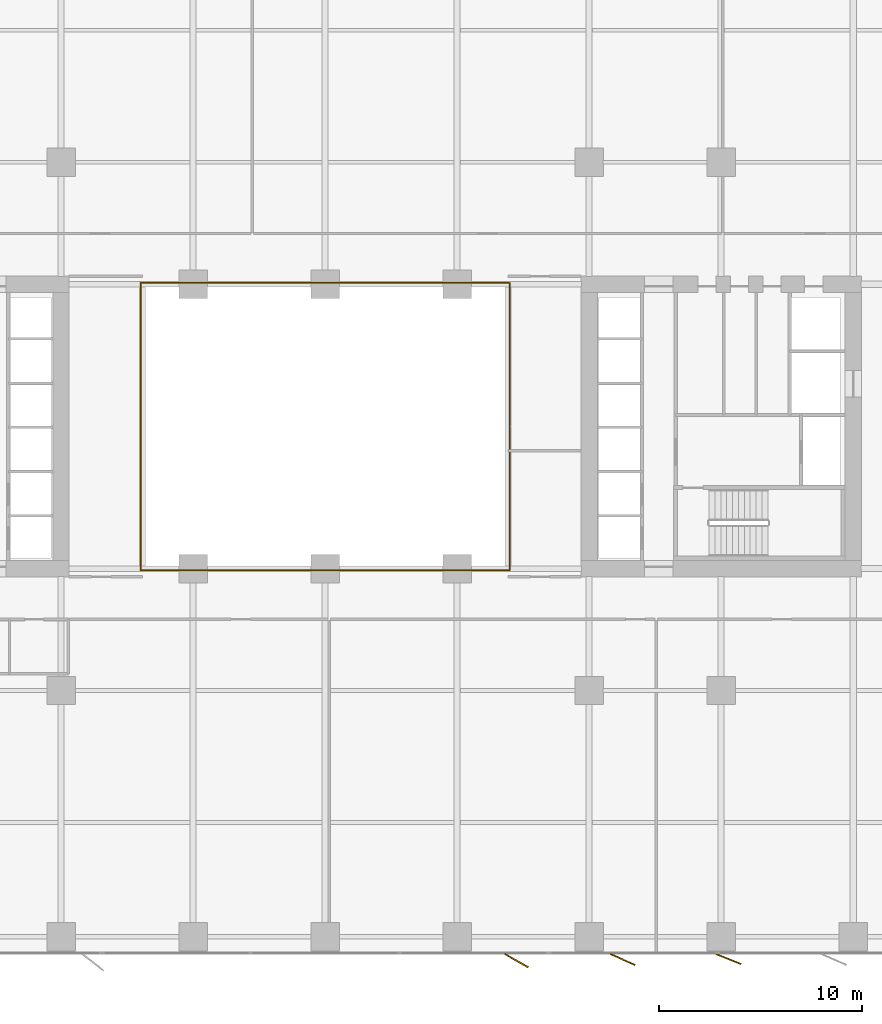
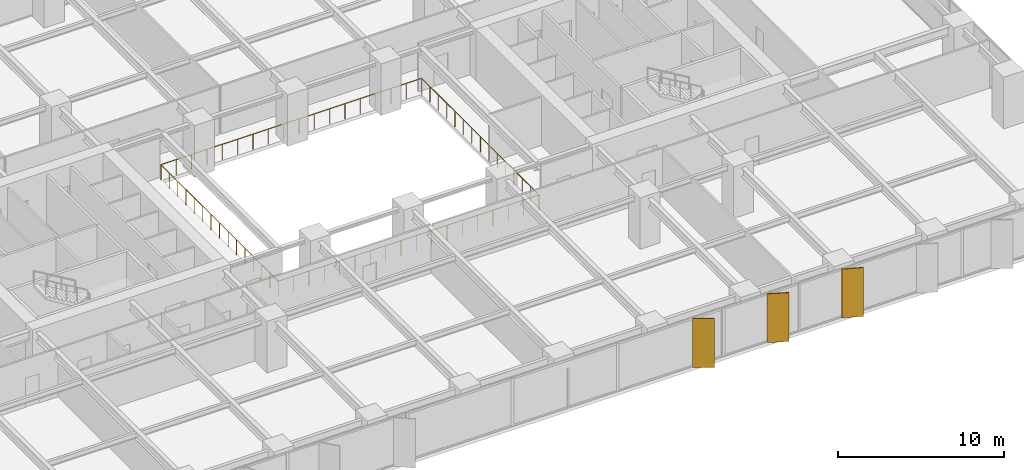
# One storey, part 18 of 20: 3 shading devices, 2 railings.
"""IFC4 building model written with IfcOpenShell, lengths in metres."""

import ifcopenshell
import ifcopenshell.guid

model = None  # the IFC model being written
_history = None  # IfcOwnerHistory: only IFC2X3 demands one
_inside = {}  # id of a spatial element -> (the spatial element, [elements in it])
_under = {}  # id of a project, library or spatial element -> (it, [spatial elements below it])
_declared = {}  # id of a project -> (the project, [libraries it declares])
_typed = {}  # id of a type object -> (the type object, [elements of that type])
_made_of = {}  # id of a material, layer set ... -> (it, [elements and type objects made of it])


def new_model(schema):
    """Start an empty IFC model of exactly this schema.

    Asked for "IFC4X3", IfcOpenShell would pick the latest addendum, in which some entities
    have other attributes; the version numbers below select the first issue.
    IFC2X3 requires an IfcOwnerHistory on every rooted entity: one is made here for all.
    """
    global model, _history
    if schema == "IFC4X3":
        model = ifcopenshell.file(schema_version=(4, 3, 0, 0))
    else:
        model = ifcopenshell.file(schema=schema)
    _inside.clear()
    _under.clear()
    _declared.clear()
    _typed.clear()
    _made_of.clear()
    _history = None
    if model.schema == "IFC2X3":
        org = make("IfcOrganization", Name="unknown")
        user = make(
            "IfcPersonAndOrganization",
            ThePerson=make("IfcPerson", FamilyName="unknown"),
            TheOrganization=org,
        )
        app = make(
            "IfcApplication",
            ApplicationDeveloper=org,
            Version="unknown",
            ApplicationFullName="unknown",
            ApplicationIdentifier="unknown",
        )
        _history = make(
            "IfcOwnerHistory",
            OwningUser=user,
            OwningApplication=app,
            ChangeAction="ADDED",
            CreationDate=0,
        )
    return model


def make(cls, **values):
    """One entity of the class cls with the attributes given. An attribute that is None is left unset."""
    return model.create_entity(
        cls, **{name: value for name, value in values.items() if value is not None}
    )


def rooted(cls, **values):
    """An entity with a GlobalId (a new one), such as an element, a storey or a relation."""
    return make(cls, GlobalId=ifcopenshell.guid.new(), OwnerHistory=_history, **values)


def si_unit(unit_type, name, prefix=None):
    """IfcSIUnit, for example si_unit("LENGTHUNIT", "METRE", prefix="MILLI")."""
    return make("IfcSIUnit", UnitType=unit_type, Prefix=prefix, Name=name)


def assignment(units):
    """IfcUnitAssignment: the units of a project."""
    return None if units is None else make("IfcUnitAssignment", Units=units)


def point(xyz):
    """IfcCartesianPoint."""
    return None if xyz is None else make("IfcCartesianPoint", Coordinates=xyz)


def direction(xyz):
    """IfcDirection."""
    return None if xyz is None else make("IfcDirection", DirectionRatios=xyz)


def frame(location, z_axis=None, x_axis=None):
    """IfcAxis2Placement3D, a coordinate frame: its origin and axes. An axis left out is left unset."""
    return make(
        "IfcAxis2Placement3D",
        Location=point(location),
        Axis=direction(z_axis),
        RefDirection=direction(x_axis),
    )


def frame_2d(location, x_axis=None):
    """IfcAxis2Placement2D, a coordinate frame in the plane: its origin and x axis."""
    return make(
        "IfcAxis2Placement2D", Location=point(location), RefDirection=direction(x_axis)
    )


def origin():
    """The frame at (0, 0, 0) with its axes left unset."""
    return frame((0.0, 0.0, 0.0))


def origin_2d():
    """The frame at (0, 0) in the plane with its x axis left unset."""
    return frame_2d((0.0, 0.0))


def place(relative_to, where):
    """IfcLocalPlacement: puts the frame where relative to a parent placement (None: the world)."""
    return make(
        "IfcLocalPlacement", PlacementRelTo=relative_to, RelativePlacement=where
    )


def context(
    kind, dimensions, precision=None, world=None, true_north=None, identifier=None
):
    """IfcGeometricRepresentationContext, for example the 3D "Model" context."""
    return make(
        "IfcGeometricRepresentationContext",
        ContextIdentifier=identifier,
        ContextType=kind,
        CoordinateSpaceDimension=dimensions,
        Precision=precision,
        WorldCoordinateSystem=world,
        TrueNorth=true_north,
    )


def subcontext(parent, identifier, kind, view, scale=None):
    """IfcGeometricRepresentationSubContext, for example "Body" below "Model"."""
    return make(
        "IfcGeometricRepresentationSubContext",
        ContextIdentifier=identifier,
        ContextType=kind,
        ParentContext=parent,
        TargetScale=scale,
        TargetView=view,
    )


def project(units=None, contexts=None):
    """IfcProject with its units and contexts."""
    return rooted(
        "IfcProject",
        Name="project",
        RepresentationContexts=contexts,
        UnitsInContext=assignment(units),
    )


def spatial(cls, under=None, at=None, **own):
    """A site, building, storey or space (cls), placed at a placement, below another one or the project."""
    s = rooted(cls, ObjectPlacement=at, **own)
    if under is not None:
        _under.setdefault(under.id(), (under, []))[1].append(s)
    return s


def profile(cls, at=None, kind="AREA", **sizes):
    """A parametric profile (cls). Its sizes go by their IFC names, for example OverallWidth=200.0."""
    return make(cls, ProfileType=kind, Position=at, **sizes)


def rectangle(**sizes):
    """IfcRectangleProfileDef."""
    return profile("IfcRectangleProfileDef", **sizes)


def circle(**sizes):
    """IfcCircleProfileDef."""
    return profile("IfcCircleProfileDef", **sizes)


def extrude(swept, where, along, depth):
    """IfcExtrudedAreaSolid: the profile swept, set in the frame where, extruded along a direction by depth."""
    return make(
        "IfcExtrudedAreaSolid",
        SweptArea=swept,
        Position=where,
        ExtrudedDirection=direction(along),
        Depth=depth,
    )


def shape(context_of_items, identifier, shape_type, items):
    """IfcShapeRepresentation: the items that make up one representation, for example the "Body"."""
    return make(
        "IfcShapeRepresentation",
        ContextOfItems=context_of_items,
        RepresentationIdentifier=identifier,
        RepresentationType=shape_type,
        Items=items,
    )


def material(Name=None, Category=None):
    """IfcMaterial."""
    return make("IfcMaterial", Name=Name, Category=Category)


def layer(
    of_material, thickness, ventilated=None, Name=None, Category=None, Priority=None
):
    """IfcMaterialLayer: one layer of a wall or slab, of a material (None: an air gap)."""
    return make(
        "IfcMaterialLayer",
        Material=of_material,
        LayerThickness=thickness,
        IsVentilated=ventilated,
        Name=Name,
        Category=Category,
        Priority=Priority,
    )


def layer_set(layers, Name=None):
    """IfcMaterialLayerSet."""
    return make("IfcMaterialLayerSet", MaterialLayers=layers, LayerSetName=Name)


def made_of(thing, what):
    """Note that an element or type object is made of a material, layer set ...; save() writes the relation."""
    if what is not None:
        _made_of.setdefault(what.id(), (what, []))[1].append(thing)
    return thing


def type_object(cls, material=None, **own):
    """A type object (cls), such as IfcWallType, which elements share."""
    return made_of(rooted(cls, **own), material)


def element(
    cls,
    number,
    at=None,
    inside=None,
    cuts=None,
    type_object=None,
    material=None,
    context=None,
    identifier="Body",
    shape_type=None,
    held_by="IfcProductDefinitionShape",
    body=None,
    shapes=None,
    **own,
):
    """One element of the class cls, such as IfcWall. Its Tag is "e" and its number.

    at: its placement. inside: the storey or other place that contains it. cuts: it is an
    opening in that element (IfcRelVoidsElement). A single representation is given by context,
    identifier, shape_type and body (its items); several are given by shapes. held_by: the class
    of the entity that holds the representations. save() writes the other relations.
    """
    e = rooted(cls, Tag="e%d" % number, ObjectPlacement=at, **own)
    if body is not None:
        shapes = [shape(context, identifier, shape_type, body)]
    if shapes is not None:
        e.Representation = make(held_by, Representations=shapes)
    if inside is not None:
        _inside.setdefault(inside.id(), (inside, []))[1].append(e)
    if cuts is not None:
        rooted(
            "IfcRelVoidsElement", RelatingBuildingElement=cuts, RelatedOpeningElement=e
        )
    if type_object is not None:
        _typed.setdefault(type_object.id(), (type_object, []))[1].append(e)
    return made_of(e, material)


def aggregate(whole, parts):
    """IfcRelAggregates: a whole, such as a stair, and the parts it consists of."""
    return rooted("IfcRelAggregates", RelatingObject=whole, RelatedObjects=parts)


def save(model, path):
    """Write the relations noted so far, then the file.

    IfcRelAggregates (storeys below a building ...), IfcRelContainedInSpatialStructure (elements
    in a storey), IfcRelDefinesByType, IfcRelAssociatesMaterial and IfcRelDeclares: one each for
    every whole, place, type object, material and project.
    """
    for whole, parts in _under.values():
        aggregate(whole, parts)
    for where, things in _inside.values():
        rooted(
            "IfcRelContainedInSpatialStructure",
            RelatedElements=things,
            RelatingStructure=where,
        )
    for kind, things in _typed.values():
        rooted("IfcRelDefinesByType", RelatedObjects=things, RelatingType=kind)
    for what, things in _made_of.values():
        rooted("IfcRelAssociatesMaterial", RelatedObjects=things, RelatingMaterial=what)
    for by, libraries in _declared.values():
        rooted("IfcRelDeclares", RelatingContext=by, RelatedDefinitions=libraries)
    model.write(path)


model = new_model("IFC4")

# Units and contexts
model_context = context("Model", 3, precision=1e-05, world=origin(), true_north=direction((0.0, 1.0)))
body_context = subcontext(model_context, "Body", "Model", "MODEL_VIEW")
ifc_project = project(units=[si_unit("LENGTHUNIT", "METRE"), si_unit("AREAUNIT", "SQUARE_METRE"), si_unit("VOLUMEUNIT", "CUBIC_METRE"), si_unit("PLANEANGLEUNIT", "RADIAN"), si_unit("MASSUNIT", "GRAM", prefix="KILO")], contexts=[model_context])

# Site, building, storey
site_placement = place(None, origin())
site = spatial("IfcSite", under=ifc_project, at=site_placement, CompositionType="ELEMENT")
building_placement = place(site_placement, origin())
building = spatial("IfcBuilding", under=site, at=building_placement, Name="Putna Gate Headquarters", CompositionType="ELEMENT")
storey_placement = place(building_placement, frame((0.0, 0.0, 43.0)))
storey = spatial("IfcBuildingStorey", under=building, at=storey_placement, Name="L09", CompositionType="ELEMENT", Elevation=43.0)

# Railings
ifc_material_1 = material(Name="Anodised bronze and laminated glass atrium balustrade", Category="glass")
railing_type = type_object("IfcRailingType", Name="RAIL-ATRIUM-GUARD-1150", PredefinedType="GUARDRAIL", material=ifc_material_1)
railing_1_placement = place(storey_placement, frame((29.919921875, 25.969970703125, 0.0)))
element("IfcRailing", 1, at=railing_1_placement, inside=storey, type_object=railing_type, Name="L09 Central Atrium Glazed Balustrade South", PredefinedType="GUARDRAIL", context=body_context, shape_type="SweptSolid", body=[
    extrude(circle(Radius=0.02392578125, at=origin_2d()), frame((0.0, 0.0, 1.1259765625), z_axis=(0.0, -1.0, 0.0), x_axis=(1.0, 0.0, 0.0)), (0.0, 0.0, 1.0), 7.050048828125),
    extrude(circle(Radius=0.02392578125, at=origin_2d()), frame((0.0, -7.050048828125, 1.1259765625), z_axis=(1.0, 0.0, 0.0), x_axis=(0.0, 1.0, 0.0)), (0.0, 0.0, 1.0), 18.16015625),
    extrude(circle(Radius=0.02392578125, at=origin_2d()), frame((18.16015625, -7.050048828125, 1.1259765625), z_axis=(0.0, 1.0, 0.0), x_axis=(-1.0, 0.0, 0.0)), (0.0, 0.0, 1.0), 7.050048828125),
    extrude(circle(Radius=0.02099609375, at=origin_2d()), origin(), (0.0, 0.0, 1.0), 1.101806640625),
    extrude(circle(Radius=0.02099609375, at=origin_2d()), frame((0.0, -1.007080078125, 0.0)), (0.0, 0.0, 1.0), 1.101806640625),
    extrude(circle(Radius=0.02099609375, at=origin_2d()), frame((0.0, -2.014404296875, 0.0)), (0.0, 0.0, 1.0), 1.101806640625),
    extrude(circle(Radius=0.02099609375, at=origin_2d()), frame((0.0, -3.021484375, 0.0)), (0.0, 0.0, 1.0), 1.101806640625),
    extrude(circle(Radius=0.02099609375, at=origin_2d()), frame((0.0, -4.028564453125, 0.0)), (0.0, 0.0, 1.0), 1.101806640625),
    extrude(circle(Radius=0.02099609375, at=origin_2d()), frame((0.0, -5.03564453125, 0.0)), (0.0, 0.0, 1.0), 1.101806640625),
    extrude(circle(Radius=0.02099609375, at=origin_2d()), frame((0.0, -6.04296875, 0.0)), (0.0, 0.0, 1.0), 1.101806640625),
    extrude(circle(Radius=0.02099609375, at=origin_2d()), frame((0.0, -7.050048828125, 0.0)), (0.0, 0.0, 1.0), 1.101806640625),
    extrude(circle(Radius=0.02099609375, at=origin_2d()), frame((1.068359375, -7.050048828125, 0.0)), (0.0, 0.0, 1.0), 1.101806640625),
    extrude(circle(Radius=0.02099609375, at=origin_2d()), frame((2.136474609375, -7.050048828125, 0.0)), (0.0, 0.0, 1.0), 1.101806640625),
    extrude(circle(Radius=0.02099609375, at=origin_2d()), frame((3.204833984375, -7.050048828125, 0.0)), (0.0, 0.0, 1.0), 1.101806640625),
    extrude(circle(Radius=0.02099609375, at=origin_2d()), frame((4.27294921875, -7.050048828125, 0.0)), (0.0, 0.0, 1.0), 1.101806640625),
    extrude(circle(Radius=0.02099609375, at=origin_2d()), frame((5.34130859375, -7.050048828125, 0.0)), (0.0, 0.0, 1.0), 1.101806640625),
    extrude(circle(Radius=0.02099609375, at=origin_2d()), frame((6.409423828125, -7.050048828125, 0.0)), (0.0, 0.0, 1.0), 1.101806640625),
    extrude(circle(Radius=0.02099609375, at=origin_2d()), frame((7.477783203125, -7.050048828125, 0.0)), (0.0, 0.0, 1.0), 1.101806640625),
    extrude(circle(Radius=0.02099609375, at=origin_2d()), frame((8.5458984375, -7.050048828125, 0.0)), (0.0, 0.0, 1.0), 1.101806640625),
    extrude(circle(Radius=0.02099609375, at=origin_2d()), frame((9.6142578125, -7.050048828125, 0.0)), (0.0, 0.0, 1.0), 1.101806640625),
    extrude(circle(Radius=0.02099609375, at=origin_2d()), frame((10.682373046875, -7.050048828125, 0.0)), (0.0, 0.0, 1.0), 1.101806640625),
    extrude(circle(Radius=0.02099609375, at=origin_2d()), frame((11.750732421875, -7.050048828125, 0.0)), (0.0, 0.0, 1.0), 1.101806640625),
    extrude(circle(Radius=0.02099609375, at=origin_2d()), frame((12.81884765625, -7.050048828125, 0.0)), (0.0, 0.0, 1.0), 1.101806640625),
    extrude(circle(Radius=0.02099609375, at=origin_2d()), frame((13.88720703125, -7.050048828125, 0.0)), (0.0, 0.0, 1.0), 1.101806640625),
    extrude(circle(Radius=0.02099609375, at=origin_2d()), frame((14.955322265625, -7.050048828125, 0.0)), (0.0, 0.0, 1.0), 1.101806640625),
    extrude(circle(Radius=0.02099609375, at=origin_2d()), frame((16.023681640625, -7.050048828125, 0.0)), (0.0, 0.0, 1.0), 1.101806640625),
    extrude(circle(Radius=0.02099609375, at=origin_2d()), frame((17.091796875, -7.050048828125, 0.0)), (0.0, 0.0, 1.0), 1.101806640625),
    extrude(circle(Radius=0.02099609375, at=origin_2d()), frame((18.16015625, -7.050048828125, 0.0)), (0.0, 0.0, 1.0), 1.101806640625),
    extrude(circle(Radius=0.02099609375, at=origin_2d()), frame((18.16015625, -6.04296875, 0.0)), (0.0, 0.0, 1.0), 1.101806640625),
    extrude(circle(Radius=0.02099609375, at=origin_2d()), frame((18.16015625, -5.03564453125, 0.0)), (0.0, 0.0, 1.0), 1.101806640625),
    extrude(circle(Radius=0.02099609375, at=origin_2d()), frame((18.16015625, -4.028564453125, 0.0)), (0.0, 0.0, 1.0), 1.101806640625),
    extrude(circle(Radius=0.02099609375, at=origin_2d()), frame((18.16015625, -3.021484375, 0.0)), (0.0, 0.0, 1.0), 1.101806640625),
    extrude(circle(Radius=0.02099609375, at=origin_2d()), frame((18.16015625, -2.014404296875, 0.0)), (0.0, 0.0, 1.0), 1.101806640625),
    extrude(circle(Radius=0.02099609375, at=origin_2d()), frame((18.16015625, -1.007080078125, 0.0)), (0.0, 0.0, 1.0), 1.101806640625),
    extrude(circle(Radius=0.02099609375, at=origin_2d()), frame((18.16015625, 0.0, 0.0)), (0.0, 0.0, 1.0), 1.101806640625),
])
railing_2_placement = place(storey_placement, frame((48.080078125, 26.030029296875, 0.0)))
element("IfcRailing", 2, at=railing_2_placement, inside=storey, type_object=railing_type, Name="L09 Central Atrium Glazed Balustrade North", PredefinedType="GUARDRAIL", context=body_context, shape_type="SweptSolid", body=[
    extrude(circle(Radius=0.02392578125, at=origin_2d()), frame((0.0, 0.0, 1.1259765625), z_axis=(0.0, 1.0, 0.0), x_axis=(-1.0, 0.0, 0.0)), (0.0, 0.0, 1.0), 7.050048828125),
    extrude(circle(Radius=0.02392578125, at=origin_2d()), frame((0.0, 7.050048828125, 1.1259765625), z_axis=(-1.0, 0.0, 0.0), x_axis=(0.0, -1.0, 0.0)), (0.0, 0.0, 1.0), 18.16015625),
    extrude(circle(Radius=0.02392578125, at=origin_2d()), frame((-18.16015625, 7.050048828125, 1.1259765625), z_axis=(0.0, -1.0, 0.0), x_axis=(1.0, 0.0, 0.0)), (0.0, 0.0, 1.0), 7.050048828125),
    extrude(circle(Radius=0.02099609375, at=origin_2d()), origin(), (0.0, 0.0, 1.0), 1.101806640625),
    extrude(circle(Radius=0.02099609375, at=origin_2d()), frame((0.0, 1.007080078125, 0.0)), (0.0, 0.0, 1.0), 1.101806640625),
    extrude(circle(Radius=0.02099609375, at=origin_2d()), frame((0.0, 2.014404296875, 0.0)), (0.0, 0.0, 1.0), 1.101806640625),
    extrude(circle(Radius=0.02099609375, at=origin_2d()), frame((0.0, 3.021484375, 0.0)), (0.0, 0.0, 1.0), 1.101806640625),
    extrude(circle(Radius=0.02099609375, at=origin_2d()), frame((0.0, 4.028564453125, 0.0)), (0.0, 0.0, 1.0), 1.101806640625),
    extrude(circle(Radius=0.02099609375, at=origin_2d()), frame((0.0, 5.03564453125, 0.0)), (0.0, 0.0, 1.0), 1.101806640625),
    extrude(circle(Radius=0.02099609375, at=origin_2d()), frame((0.0, 6.04296875, 0.0)), (0.0, 0.0, 1.0), 1.101806640625),
    extrude(circle(Radius=0.02099609375, at=origin_2d()), frame((0.0, 7.050048828125, 0.0)), (0.0, 0.0, 1.0), 1.101806640625),
    extrude(circle(Radius=0.02099609375, at=origin_2d()), frame((-1.068359375, 7.050048828125, 0.0)), (0.0, 0.0, 1.0), 1.101806640625),
    extrude(circle(Radius=0.02099609375, at=origin_2d()), frame((-2.136474609375, 7.050048828125, 0.0)), (0.0, 0.0, 1.0), 1.101806640625),
    extrude(circle(Radius=0.02099609375, at=origin_2d()), frame((-3.204833984375, 7.050048828125, 0.0)), (0.0, 0.0, 1.0), 1.101806640625),
    extrude(circle(Radius=0.02099609375, at=origin_2d()), frame((-4.27294921875, 7.050048828125, 0.0)), (0.0, 0.0, 1.0), 1.101806640625),
    extrude(circle(Radius=0.02099609375, at=origin_2d()), frame((-5.34130859375, 7.050048828125, 0.0)), (0.0, 0.0, 1.0), 1.101806640625),
    extrude(circle(Radius=0.02099609375, at=origin_2d()), frame((-6.409423828125, 7.050048828125, 0.0)), (0.0, 0.0, 1.0), 1.101806640625),
    extrude(circle(Radius=0.02099609375, at=origin_2d()), frame((-7.477783203125, 7.050048828125, 0.0)), (0.0, 0.0, 1.0), 1.101806640625),
    extrude(circle(Radius=0.02099609375, at=origin_2d()), frame((-8.5458984375, 7.050048828125, 0.0)), (0.0, 0.0, 1.0), 1.101806640625),
    extrude(circle(Radius=0.02099609375, at=origin_2d()), frame((-9.6142578125, 7.050048828125, 0.0)), (0.0, 0.0, 1.0), 1.101806640625),
    extrude(circle(Radius=0.02099609375, at=origin_2d()), frame((-10.682373046875, 7.050048828125, 0.0)), (0.0, 0.0, 1.0), 1.101806640625),
    extrude(circle(Radius=0.02099609375, at=origin_2d()), frame((-11.750732421875, 7.050048828125, 0.0)), (0.0, 0.0, 1.0), 1.101806640625),
    extrude(circle(Radius=0.02099609375, at=origin_2d()), frame((-12.81884765625, 7.050048828125, 0.0)), (0.0, 0.0, 1.0), 1.101806640625),
    extrude(circle(Radius=0.02099609375, at=origin_2d()), frame((-13.88720703125, 7.050048828125, 0.0)), (0.0, 0.0, 1.0), 1.101806640625),
    extrude(circle(Radius=0.02099609375, at=origin_2d()), frame((-14.955322265625, 7.050048828125, 0.0)), (0.0, 0.0, 1.0), 1.101806640625),
    extrude(circle(Radius=0.02099609375, at=origin_2d()), frame((-16.023681640625, 7.050048828125, 0.0)), (0.0, 0.0, 1.0), 1.101806640625),
    extrude(circle(Radius=0.02099609375, at=origin_2d()), frame((-17.091796875, 7.050048828125, 0.0)), (0.0, 0.0, 1.0), 1.101806640625),
    extrude(circle(Radius=0.02099609375, at=origin_2d()), frame((-18.16015625, 7.050048828125, 0.0)), (0.0, 0.0, 1.0), 1.101806640625),
    extrude(circle(Radius=0.02099609375, at=origin_2d()), frame((-18.16015625, 6.04296875, 0.0)), (0.0, 0.0, 1.0), 1.101806640625),
    extrude(circle(Radius=0.02099609375, at=origin_2d()), frame((-18.16015625, 5.03564453125, 0.0)), (0.0, 0.0, 1.0), 1.101806640625),
    extrude(circle(Radius=0.02099609375, at=origin_2d()), frame((-18.16015625, 4.028564453125, 0.0)), (0.0, 0.0, 1.0), 1.101806640625),
    extrude(circle(Radius=0.02099609375, at=origin_2d()), frame((-18.16015625, 3.021484375, 0.0)), (0.0, 0.0, 1.0), 1.101806640625),
    extrude(circle(Radius=0.02099609375, at=origin_2d()), frame((-18.16015625, 2.014404296875, 0.0)), (0.0, 0.0, 1.0), 1.101806640625),
    extrude(circle(Radius=0.02099609375, at=origin_2d()), frame((-18.16015625, 1.007080078125, 0.0)), (0.0, 0.0, 1.0), 1.101806640625),
    extrude(circle(Radius=0.02099609375, at=origin_2d()), frame((-18.16015625, 0.0, 0.0)), (0.0, 0.0, 1.0), 1.101806640625),
])

# Shading devices
ifc_material_2 = material(Name="Anodised architectural bronze aluminium fin", Category="aluminium")
ifc_layer = layer(ifc_material_2, 0.06494140625)
ifc_layer_set = layer_set([ifc_layer], Name="Anodised architectural bronze aluminium fin")
shading_device_type = type_object("IfcShadingDeviceType", Name="SHADE-BRONZE-FIN-1320", PredefinedType="USERDEFINED", material=ifc_layer_set)
for number, where, z_axis, x_axis, name in (
    (3, (48.423828125, -0.30126953125, -0.02001953125), (0.0, 0.0, 1.0), (0.869322458298, -0.494245347472, 0.0), "L09 Bronze Vertical Shading Fin S8"),
    (4, (53.653076171875, -0.2431640625, -0.02001953125), (0.0, 0.0, 1.0), (0.913687379856, -0.40641773078, 0.0), "L09 Bronze Vertical Shading Fin S9"),
    (5, (58.86181640625, -0.22216796875, -0.02001953125), (0.0, 0.0, 1.0), (0.927183854567, -0.374606593416, 0.0), "L09 Bronze Vertical Shading Fin S10"),
):
    element("IfcShadingDevice", number, at=place(storey_placement, frame(where, z_axis=z_axis, x_axis=x_axis)), inside=storey, type_object=shading_device_type, Name=name, ObjectType="FIN", PredefinedType="USERDEFINED", context=body_context, shape_type="SweptSolid", body=[
        extrude(rectangle(XDim=1.320068359375, YDim=0.06494140625, at=origin_2d()), origin(), (0.0, 0.0, 1.0), 3.590087890625),
    ])

save(model, "model.ifc")
